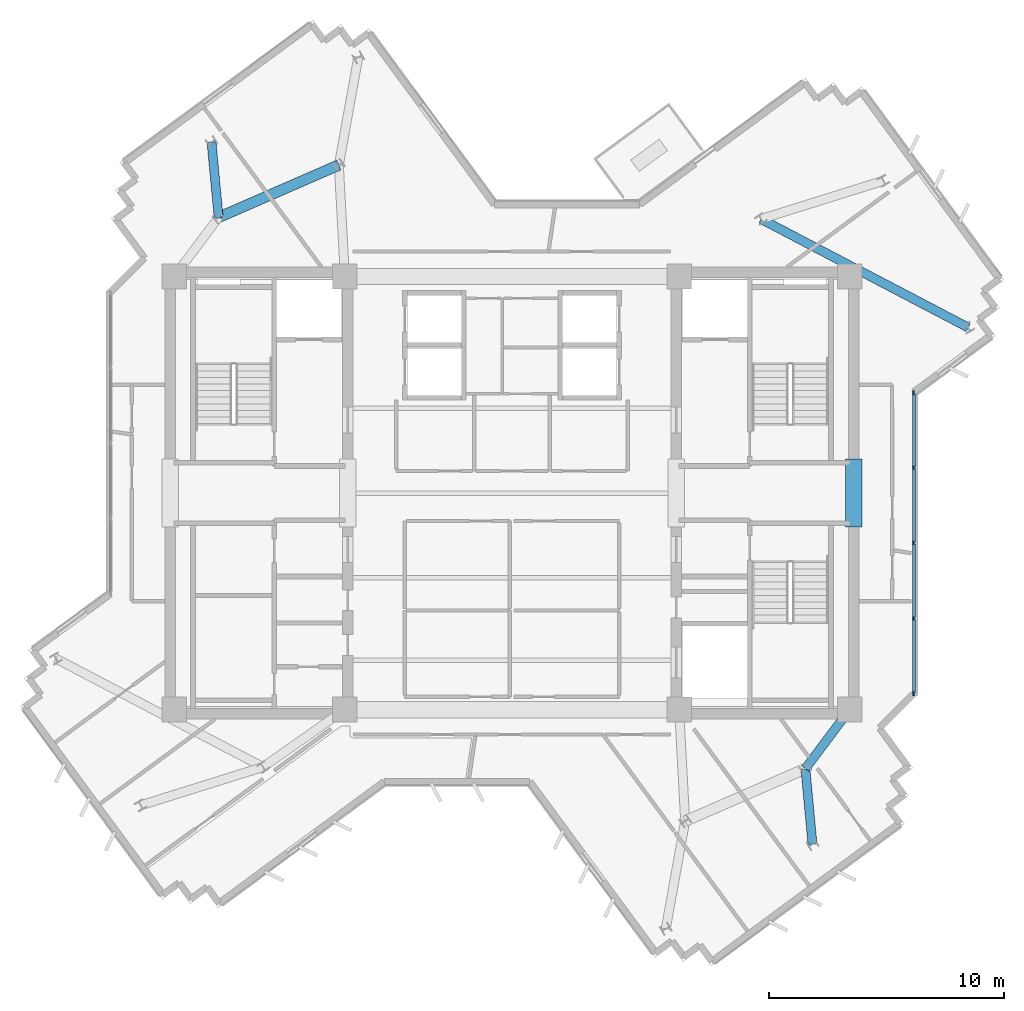
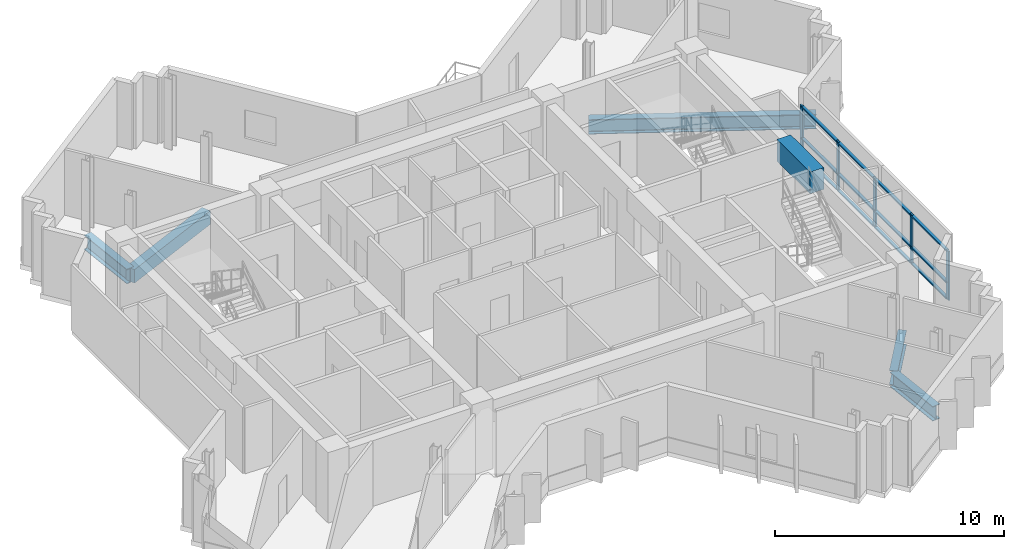
# One storey, part 4 of 13: 17 members, 6 beams, 1 element without a shape of its own.
"""IFC4 building model written with IfcOpenShell, lengths in metres."""

from ifc_helpers import new_model, si_unit, direction, frame, origin, origin_2d, place, context, subcontext, project, spatial, rectangle, i_section, extrude, source, transform, mapped, material, layer, layer_set, material_profile, profile_set, type_object, element, aggregate, save


model = new_model("IFC4")

# Units and contexts
model_context = context("Model", 3, precision=1e-05, world=origin(), true_north=direction((0.0, 1.0)))
body_context = subcontext(model_context, "Body", "Model", "MODEL_VIEW")
ifc_project = project(units=[si_unit("LENGTHUNIT", "METRE"), si_unit("AREAUNIT", "SQUARE_METRE"), si_unit("VOLUMEUNIT", "CUBIC_METRE"), si_unit("PLANEANGLEUNIT", "RADIAN"), si_unit("MASSUNIT", "GRAM", prefix="KILO")], contexts=[model_context])

# Site, building, storey
site_placement = place(None, origin())
site = spatial("IfcSite", under=ifc_project, at=site_placement, CompositionType="ELEMENT")
building_placement = place(site_placement, origin())
building = spatial("IfcBuilding", under=site, at=building_placement, Name="Zahravan Cultural Tower", CompositionType="ELEMENT")
storey_placement = place(building_placement, frame((0.0, 0.0, 276.60009765625)))
storey = spatial("IfcBuildingStorey", under=building, at=storey_placement, Name="L66", CompositionType="ELEMENT", Elevation=276.60009765625)

# Beams
ifc_material_1 = material(Name="Concrete C50/60", Category="concrete")
ifc_material_profile_1 = material_profile(ifc_material_1, rectangle(XDim=0.699951171875, YDim=1.14990234375, at=origin_2d()), Name="RC700X1150")
ifc_profile_set_1 = profile_set([ifc_material_profile_1], Name="Concrete C50/60")
beam_type_1 = type_object("IfcBeamType", Name="BM-LN-RC700X1150", PredefinedType="LINTEL", material=ifc_profile_set_1)
shared_shape_1 = source(origin(), body_context, "Body", "SweptSolid", [
    extrude(rectangle(XDim=0.699951171875, YDim=1.14990234375, at=origin_2d()), origin(), (0.0, 0.0, 1.0), 2.89990234375),
])
beam_1_placement = place(storey_placement, frame((50.52490234375, 25.550048828125, 2.9248046875), z_axis=(0.0, 1.0, 0.0), x_axis=(-1.0, 0.0, 0.0)))
element("IfcBeam", 1, at=beam_1_placement, inside=storey, type_object=beam_type_1, Name="L66 Beam LN-L66-PEE", PredefinedType="LINTEL", context=body_context, shape_type="MappedRepresentation", body=[
    mapped(shared_shape_1, transform((0.0, 0.0, 0.0), x_axis=(1.0, 0.0, 0.0), y_axis=(0.0, 1.0, 0.0), z_axis=(0.0, 0.0, 1.0), scale=1.0)),
])
ifc_material_2 = material(Name="Concrete C45/55", Category="concrete")
ifc_material_profile_2 = material_profile(ifc_material_2, rectangle(XDim=0.449951171875, YDim=0.719970703125, at=origin_2d()), Name="RC450X720")
ifc_profile_set_2 = profile_set([ifc_material_profile_2], Name="Concrete C45/55")
beam_type_2 = type_object("IfcBeamType", Name="BM-SP-RC450X720", PredefinedType="SPANDREL", material=ifc_profile_set_2)
shared_shape_2 = source(origin(), body_context, "Body", "SweptSolid", [
    extrude(rectangle(XDim=0.449951171875, YDim=0.719970703125, at=origin_2d()), origin(), (0.0, 0.0, 1.0), 5.570556640625),
])
beam_2_placement = place(storey_placement, frame((28.642578125, 40.937255859375, -0.610107421875), z_axis=(-0.9166445026, -0.399703459896, 0.0), x_axis=(0.399703459896, -0.9166445026, 0.0)))
element("IfcBeam", 2, at=beam_2_placement, inside=storey, type_object=beam_type_2, Name="L66 Beam SP-L66-21", PredefinedType="SPANDREL", context=body_context, shape_type="MappedRepresentation", body=[
    mapped(shared_shape_2, transform((0.0, 0.0, 0.0), x_axis=(1.0, 0.0, 0.0), y_axis=(0.0, 1.0, 0.0), z_axis=(0.0, 0.0, 1.0), scale=1.0)),
])
ifc_material_3 = material(Name="Steel ASTM A992 Grade 50", Category="steel")
ifc_material_profile_3 = material_profile(ifc_material_3, i_section(OverallWidth=0.382080078125, OverallDepth=0.779052734375, WebThickness=0.01806640625, FlangeThickness=0.030029296875, FilletRadius=0.01904296875, at=origin_2d()), Name="W30X191")
ifc_profile_set_3 = profile_set([ifc_material_profile_3], Name="Steel ASTM A992 Grade 50")
beam_type_3 = type_object("IfcBeamType", Name="BM-G-W30X191", PredefinedType="BEAM", material=ifc_profile_set_3)
shared_shape_3 = source(origin(), body_context, "Body", "SweptSolid", [
    extrude(i_section(OverallWidth=0.382080078125, OverallDepth=0.779052734375, WebThickness=0.01806640625, FlangeThickness=0.030029296875, FilletRadius=0.01904296875, at=origin_2d()), origin(), (0.0, 0.0, 1.0), 3.140380859375),
])
beam_3_placement = place(storey_placement, frame((50.35009765625, 17.800048828125, -0.6396484375), z_axis=(-0.600696322208, -0.799477284534, 0.0), x_axis=(0.799477284534, -0.600696322208, 0.0)))
element("IfcBeam", 3, at=beam_3_placement, inside=storey, type_object=beam_type_3, Name="L66 Beam BG-L66-09", PredefinedType="BEAM", context=body_context, shape_type="MappedRepresentation", body=[
    mapped(shared_shape_3, transform((0.0, 0.0, 0.0), x_axis=(1.0, 0.0, 0.0), y_axis=(0.0, 1.0, 0.0), z_axis=(0.0, 0.0, 1.0), scale=1.0)),
])
shared_shape_4 = source(origin(), body_context, "Body", "SweptSolid", [
    extrude(i_section(OverallWidth=0.382080078125, OverallDepth=0.779052734375, WebThickness=0.01806640625, FlangeThickness=0.030029296875, FilletRadius=0.01904296875, at=origin_2d()), origin(), (0.0, 0.0, 1.0), 9.935791015625),
])
beam_4_placement = place(storey_placement, frame((46.577880859375, 38.640625, -0.6396484375), z_axis=(0.885932031042, -0.463815088558, 0.0), x_axis=(0.463815088558, 0.885932031042, 0.0)))
element("IfcBeam", 4, at=beam_4_placement, inside=storey, type_object=beam_type_3, Name="L66 Beam BG-L66-12", PredefinedType="BEAM", context=body_context, shape_type="MappedRepresentation", body=[
    mapped(shared_shape_4, transform((0.0, 0.0, 0.0), x_axis=(1.0, 0.0, 0.0), y_axis=(0.0, 1.0, 0.0), z_axis=(0.0, 0.0, 1.0), scale=1.0)),
])
shared_shape_5 = source(origin(), body_context, "Body", "SweptSolid", [
    extrude(i_section(OverallWidth=0.382080078125, OverallDepth=0.779052734375, WebThickness=0.01806640625, FlangeThickness=0.030029296875, FilletRadius=0.01904296875, at=origin_2d()), origin(), (0.0, 0.0, 1.0), 3.218017578125),
])
for number, where, z_axis, x_axis, name in (
    (5, (23.536376953125, 38.710693359375, -0.6396484375), (-0.094454641962, 0.995529166128, 0.0), (-0.995529166128, -0.094454641962, 0.0), "L66 Beam BG-L66-15"),
    (6, (48.463623046875, 15.289306640625, -0.6396484375), (0.094454641962, -0.995529166128, 0.0), (0.995529166128, 0.094454641962, 0.0), "L66 Beam BG-L66-19"),
):
    element("IfcBeam", number, at=place(storey_placement, frame(where, z_axis=z_axis, x_axis=x_axis)), inside=storey, type_object=beam_type_3, Name=name, PredefinedType="BEAM", context=body_context, shape_type="MappedRepresentation", body=[
        mapped(shared_shape_5, transform((0.0, 0.0, 0.0), x_axis=(1.0, 0.0, 0.0), y_axis=(0.0, 1.0, 0.0), z_axis=(0.0, 0.0, 1.0), scale=1.0)),
    ])

# Curtain wall, members
ifc_material_4 = material(Name="Anodised bronze-aluminium mullion", Category="aluminium")
ifc_layer = layer(ifc_material_4, 0.199951171875)
ifc_layer_set = layer_set([ifc_layer], Name="Anodised bronze-aluminium mullion")
curtain_wall_type = type_object("IfcCurtainWallType", Name="CW-SYS-2", PredefinedType="USERDEFINED", material=ifc_layer_set)
curtain_wall_placement = place(storey_placement, origin())
curtain_wall = element("IfcCurtainWall", 7, at=curtain_wall_placement, inside=storey, type_object=curtain_wall_type, Name="L66 Recessed Curtain Wall CW-2.1", ObjectType="RECESSED GLAZING", PredefinedType="USERDEFINED")
ifc_material_profile_4 = material_profile(ifc_material_4, rectangle(XDim=0.074951171875, YDim=0.199951171875, at=origin_2d()), Name="AL-M75X200")
ifc_profile_set_4 = profile_set([ifc_material_profile_4], Name="Anodised bronze-aluminium mullion")
member_type_1 = type_object("IfcMemberType", Name="CWM-CW-2", PredefinedType="MULLION", material=ifc_profile_set_4)
shared_shape_6 = source(origin(), body_context, "Body", "SweptSolid", [
    extrude(rectangle(XDim=0.074951171875, YDim=0.199951171875, at=origin_2d()), origin(), (0.0, 0.0, 1.0), 2.619873046875),
])
member_1_placement = place(storey_placement, frame((53.06005859375, 31.248291015625, 0.0), z_axis=(0.0, 0.0, 1.0), x_axis=(1.0, 0.0, 0.0)))
member_1 = element("IfcMember", 8, at=member_1_placement, type_object=member_type_1, Name="CW-2 mullion 1", PredefinedType="MULLION", context=body_context, shape_type="MappedRepresentation", body=[
    mapped(shared_shape_6, transform((0.0, 0.0, 0.0), x_axis=(1.0, 0.0, 0.0), y_axis=(0.0, 1.0, 0.0), z_axis=(0.0, 0.0, 1.0), scale=1.0)),
])
member_2_placement = place(storey_placement, frame((53.06005859375, 28.078857421875, 0.0), z_axis=(0.0, 0.0, 1.0), x_axis=(1.0, 0.0, 0.0)))
member_2 = element("IfcMember", 9, at=member_2_placement, type_object=member_type_1, Name="CW-2 mullion 2", PredefinedType="MULLION", context=body_context, shape_type="MappedRepresentation", body=[
    mapped(shared_shape_6, transform((0.0, 0.0, 0.0), x_axis=(1.0, 0.0, 0.0), y_axis=(0.0, 1.0, 0.0), z_axis=(0.0, 0.0, 1.0), scale=1.0)),
])
member_3_placement = place(storey_placement, frame((53.06005859375, 24.871826171875, 0.0), z_axis=(0.0, 0.0, 1.0), x_axis=(1.0, 0.0, 0.0)))
member_3 = element("IfcMember", 10, at=member_3_placement, type_object=member_type_1, Name="CW-2 mullion 3", PredefinedType="MULLION", context=body_context, shape_type="MappedRepresentation", body=[
    mapped(shared_shape_6, transform((0.0, 0.0, 0.0), x_axis=(1.0, 0.0, 0.0), y_axis=(0.0, 1.0, 0.0), z_axis=(0.0, 0.0, 1.0), scale=1.0)),
])
member_4_placement = place(storey_placement, frame((53.06005859375, 21.6650390625, 0.0), z_axis=(0.0, 0.0, 1.0), x_axis=(1.0, 0.0, 0.0)))
member_4 = element("IfcMember", 11, at=member_4_placement, type_object=member_type_1, Name="CW-2 mullion 4", PredefinedType="MULLION", context=body_context, shape_type="MappedRepresentation", body=[
    mapped(shared_shape_6, transform((0.0, 0.0, 0.0), x_axis=(1.0, 0.0, 0.0), y_axis=(0.0, 1.0, 0.0), z_axis=(0.0, 0.0, 1.0), scale=1.0)),
])
member_5_placement = place(storey_placement, frame((53.06005859375, 18.49560546875, 0.0), z_axis=(0.0, 0.0, 1.0), x_axis=(1.0, 0.0, 0.0)))
member_5 = element("IfcMember", 12, at=member_5_placement, type_object=member_type_1, Name="CW-2 mullion 5", PredefinedType="MULLION", context=body_context, shape_type="MappedRepresentation", body=[
    mapped(shared_shape_6, transform((0.0, 0.0, 0.0), x_axis=(1.0, 0.0, 0.0), y_axis=(0.0, 1.0, 0.0), z_axis=(0.0, 0.0, 1.0), scale=1.0)),
])
ifc_material_profile_5 = material_profile(ifc_material_4, rectangle(XDim=0.14990234375, YDim=0.074951171875, at=origin_2d()), Name="AL-T75X150")
ifc_profile_set_5 = profile_set([ifc_material_profile_5], Name="Anodised bronze-aluminium mullion")
member_type_2 = type_object("IfcMemberType", Name="CWT-CW-2", PredefinedType="USERDEFINED", material=ifc_profile_set_5)
shared_shape_7 = source(origin(), body_context, "Body", "SweptSolid", [
    extrude(rectangle(XDim=0.14990234375, YDim=0.074951171875, at=origin_2d()), origin(), (0.0, 0.0, 1.0), 3.094482421875),
])
member_6_placement = place(storey_placement, frame((53.06005859375, 31.210693359375, 0.037353515625), z_axis=(0.0, -1.0, 0.0), x_axis=(1.0, 0.0, 0.0)))
member_6 = element("IfcMember", 13, at=member_6_placement, type_object=member_type_2, Name="CW-2 transom 1.1", ObjectType="TRANSOM", PredefinedType="USERDEFINED", context=body_context, shape_type="MappedRepresentation", body=[
    mapped(shared_shape_7, transform((0.0, 0.0, 0.0), x_axis=(1.0, 0.0, 0.0), y_axis=(0.0, 1.0, 0.0), z_axis=(0.0, 0.0, 1.0), scale=1.0)),
])
member_7_placement = place(storey_placement, frame((53.06005859375, 31.210693359375, 0.89990234375), z_axis=(0.0, -1.0, 0.0), x_axis=(1.0, 0.0, 0.0)))
member_7 = element("IfcMember", 14, at=member_7_placement, type_object=member_type_2, Name="CW-2 transom 1.2", ObjectType="TRANSOM", PredefinedType="USERDEFINED", context=body_context, shape_type="MappedRepresentation", body=[
    mapped(shared_shape_7, transform((0.0, 0.0, 0.0), x_axis=(1.0, 0.0, 0.0), y_axis=(0.0, 1.0, 0.0), z_axis=(0.0, 0.0, 1.0), scale=1.0)),
])
member_8_placement = place(storey_placement, frame((53.06005859375, 31.210693359375, 2.58251953125), z_axis=(0.0, -1.0, 0.0), x_axis=(1.0, 0.0, 0.0)))
member_8 = element("IfcMember", 15, at=member_8_placement, type_object=member_type_2, Name="CW-2 transom 1.3", ObjectType="TRANSOM", PredefinedType="USERDEFINED", context=body_context, shape_type="MappedRepresentation", body=[
    mapped(shared_shape_7, transform((0.0, 0.0, 0.0), x_axis=(1.0, 0.0, 0.0), y_axis=(0.0, 1.0, 0.0), z_axis=(0.0, 0.0, 1.0), scale=1.0)),
])
member_9_placement = place(storey_placement, frame((53.06005859375, 21.62744140625, 0.037353515625), z_axis=(0.0, -1.0, 0.0), x_axis=(1.0, 0.0, 0.0)))
member_9 = element("IfcMember", 16, at=member_9_placement, type_object=member_type_2, Name="CW-2 transom 4.1", ObjectType="TRANSOM", PredefinedType="USERDEFINED", context=body_context, shape_type="MappedRepresentation", body=[
    mapped(shared_shape_7, transform((0.0, 0.0, 0.0), x_axis=(1.0, 0.0, 0.0), y_axis=(0.0, 1.0, 0.0), z_axis=(0.0, 0.0, 1.0), scale=1.0)),
])
member_10_placement = place(storey_placement, frame((53.06005859375, 21.62744140625, 0.89990234375), z_axis=(0.0, -1.0, 0.0), x_axis=(1.0, 0.0, 0.0)))
member_10 = element("IfcMember", 17, at=member_10_placement, type_object=member_type_2, Name="CW-2 transom 4.2", ObjectType="TRANSOM", PredefinedType="USERDEFINED", context=body_context, shape_type="MappedRepresentation", body=[
    mapped(shared_shape_7, transform((0.0, 0.0, 0.0), x_axis=(1.0, 0.0, 0.0), y_axis=(0.0, 1.0, 0.0), z_axis=(0.0, 0.0, 1.0), scale=1.0)),
])
member_11_placement = place(storey_placement, frame((53.06005859375, 21.62744140625, 2.58251953125), z_axis=(0.0, -1.0, 0.0), x_axis=(1.0, 0.0, 0.0)))
member_11 = element("IfcMember", 18, at=member_11_placement, type_object=member_type_2, Name="CW-2 transom 4.3", ObjectType="TRANSOM", PredefinedType="USERDEFINED", context=body_context, shape_type="MappedRepresentation", body=[
    mapped(shared_shape_7, transform((0.0, 0.0, 0.0), x_axis=(1.0, 0.0, 0.0), y_axis=(0.0, 1.0, 0.0), z_axis=(0.0, 0.0, 1.0), scale=1.0)),
])
shared_shape_8 = source(origin(), body_context, "Body", "SweptSolid", [
    extrude(rectangle(XDim=0.14990234375, YDim=0.074951171875, at=origin_2d()), origin(), (0.0, 0.0, 1.0), 3.1318359375),
])
member_12_placement = place(storey_placement, frame((53.06005859375, 28.041259765625, 0.037353515625), z_axis=(0.0, -1.0, 0.0), x_axis=(1.0, 0.0, 0.0)))
member_12 = element("IfcMember", 19, at=member_12_placement, type_object=member_type_2, Name="CW-2 transom 2.1", ObjectType="TRANSOM", PredefinedType="USERDEFINED", context=body_context, shape_type="MappedRepresentation", body=[
    mapped(shared_shape_8, transform((0.0, 0.0, 0.0), x_axis=(1.0, 0.0, 0.0), y_axis=(0.0, 1.0, 0.0), z_axis=(0.0, 0.0, 1.0), scale=1.0)),
])
member_13_placement = place(storey_placement, frame((53.06005859375, 28.041259765625, 0.89990234375), z_axis=(0.0, -1.0, 0.0), x_axis=(1.0, 0.0, 0.0)))
member_13 = element("IfcMember", 20, at=member_13_placement, type_object=member_type_2, Name="CW-2 transom 2.2", ObjectType="TRANSOM", PredefinedType="USERDEFINED", context=body_context, shape_type="MappedRepresentation", body=[
    mapped(shared_shape_8, transform((0.0, 0.0, 0.0), x_axis=(1.0, 0.0, 0.0), y_axis=(0.0, 1.0, 0.0), z_axis=(0.0, 0.0, 1.0), scale=1.0)),
])
member_14_placement = place(storey_placement, frame((53.06005859375, 28.041259765625, 2.58251953125), z_axis=(0.0, -1.0, 0.0), x_axis=(1.0, 0.0, 0.0)))
member_14 = element("IfcMember", 21, at=member_14_placement, type_object=member_type_2, Name="CW-2 transom 2.3", ObjectType="TRANSOM", PredefinedType="USERDEFINED", context=body_context, shape_type="MappedRepresentation", body=[
    mapped(shared_shape_8, transform((0.0, 0.0, 0.0), x_axis=(1.0, 0.0, 0.0), y_axis=(0.0, 1.0, 0.0), z_axis=(0.0, 0.0, 1.0), scale=1.0)),
])
member_15_placement = place(storey_placement, frame((53.06005859375, 24.834228515625, 0.037353515625), z_axis=(0.0, -1.0, 0.0), x_axis=(1.0, 0.0, 0.0)))
member_15 = element("IfcMember", 22, at=member_15_placement, type_object=member_type_2, Name="CW-2 transom 3.1", ObjectType="TRANSOM", PredefinedType="USERDEFINED", context=body_context, shape_type="MappedRepresentation", body=[
    mapped(shared_shape_8, transform((0.0, 0.0, 0.0), x_axis=(1.0, 0.0, 0.0), y_axis=(0.0, 1.0, 0.0), z_axis=(0.0, 0.0, 1.0), scale=1.0)),
])
member_16_placement = place(storey_placement, frame((53.06005859375, 24.834228515625, 0.89990234375), z_axis=(0.0, -1.0, 0.0), x_axis=(1.0, 0.0, 0.0)))
member_16 = element("IfcMember", 23, at=member_16_placement, type_object=member_type_2, Name="CW-2 transom 3.2", ObjectType="TRANSOM", PredefinedType="USERDEFINED", context=body_context, shape_type="MappedRepresentation", body=[
    mapped(shared_shape_8, transform((0.0, 0.0, 0.0), x_axis=(1.0, 0.0, 0.0), y_axis=(0.0, 1.0, 0.0), z_axis=(0.0, 0.0, 1.0), scale=1.0)),
])
member_17_placement = place(storey_placement, frame((53.06005859375, 24.834228515625, 2.58251953125), z_axis=(0.0, -1.0, 0.0), x_axis=(1.0, 0.0, 0.0)))
member_17 = element("IfcMember", 24, at=member_17_placement, type_object=member_type_2, Name="CW-2 transom 3.3", ObjectType="TRANSOM", PredefinedType="USERDEFINED", context=body_context, shape_type="MappedRepresentation", body=[
    mapped(shared_shape_8, transform((0.0, 0.0, 0.0), x_axis=(1.0, 0.0, 0.0), y_axis=(0.0, 1.0, 0.0), z_axis=(0.0, 0.0, 1.0), scale=1.0)),
])
aggregate(curtain_wall, [member_1, member_2, member_3, member_4, member_5, member_6, member_7, member_8, member_12, member_13, member_14, member_15, member_16, member_17, member_9, member_10, member_11])

save(model, "model.ifc")
